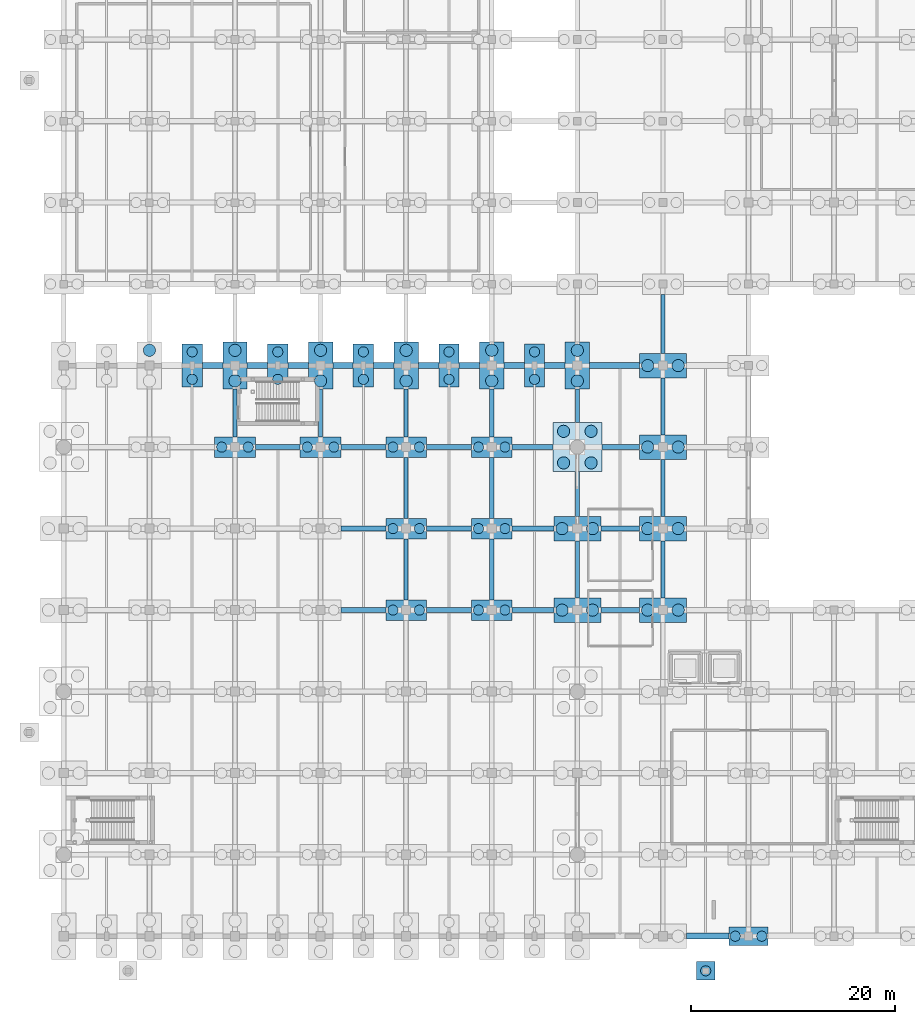
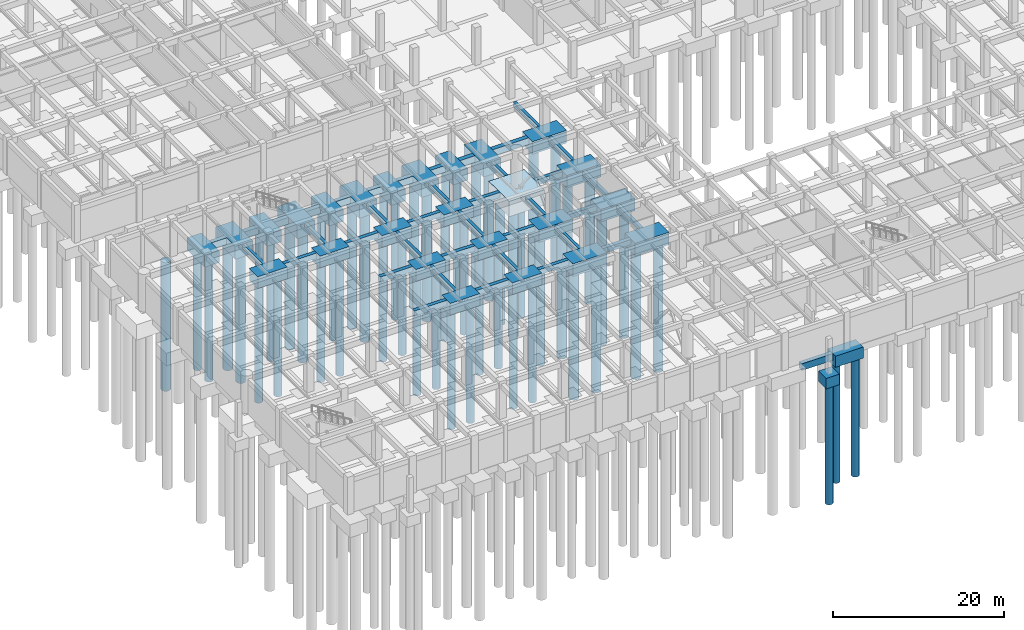
# One storey, part 3 of 56: 66 footings, 56 piles.
"""IFC4 building model written with IfcOpenShell, lengths in metres."""

from ifc_helpers import new_model, si_unit, direction, frame, origin, origin_2d, place, context, subcontext, project, spatial, rectangle, circle, extrude, material, material_profile, profile_set, type_object, element, save


model = new_model("IFC4")

# Units and contexts
model_context = context("Model", 3, precision=1e-05, world=origin(), true_north=direction((0.0, 1.0)))
body_context = subcontext(model_context, "Body", "Model", "MODEL_VIEW")
ifc_project = project(units=[si_unit("LENGTHUNIT", "METRE"), si_unit("AREAUNIT", "SQUARE_METRE"), si_unit("VOLUMEUNIT", "CUBIC_METRE"), si_unit("PLANEANGLEUNIT", "RADIAN"), si_unit("MASSUNIT", "GRAM", prefix="KILO")], contexts=[model_context])

# Site, building, storey
site_placement = place(None, origin())
site = spatial("IfcSite", under=ifc_project, at=site_placement, CompositionType="ELEMENT")
building_placement = place(site_placement, origin())
building = spatial("IfcBuilding", under=site, at=building_placement, Name="Naruveol Harbour Congress Hotel", CompositionType="ELEMENT")
storey_placement = place(building_placement, frame((0.0, 0.0, -5.39990234375)))
storey = spatial("IfcBuildingStorey", under=building, at=storey_placement, Name="B01", CompositionType="ELEMENT", Elevation=-5.39990234375)

# Piles
ifc_material_1 = material(Name="Concrete C40/50", Category="concrete")
ifc_material_profile_1 = material_profile(ifc_material_1, circle(Radius=0.5, at=origin_2d()), Name="BP-1000")
ifc_profile_set_1 = profile_set([ifc_material_profile_1], Name="Concrete C40/50")
pile_type_1 = type_object("IfcPileType", Name="BORED ROCK SOCKETED PILE D1000", PredefinedType="BORED", material=ifc_profile_set_1)
for number, where, z_axis, x_axis, name in (
    (1, (12.60009765625, 54.64990234375, -1.550048828125), (0.0, 0.0, -1.0), (1.0, 0.0, 0.0), "Bored pile BP-1000 #1 under FTG-CAP-0126-0560"),
    (2, (12.60009765625, 57.35009765625, -1.550048828125), (0.0, 0.0, -1.0), (1.0, 0.0, 0.0), "Bored pile BP-1000 #2 under FTG-CAP-0126-0560"),
    (3, (15.5, 48.0, -1.550048828125), (0.0, 0.0, -1.0), (1.0, 0.0, 0.0), "Bored pile BP-1000 #1 under FTG-CAP-0168-0480"),
    (4, (18.10009765625, 48.0, -1.550048828125), (0.0, 0.0, -1.0), (1.0, 0.0, 0.0), "Bored pile BP-1000 #2 under FTG-CAP-0168-0480"),
    (5, (21.0, 54.64990234375, -1.550048828125), (0.0, 0.0, -1.0), (1.0, 0.0, 0.0), "Bored pile BP-1000 #1 under FTG-CAP-0210-0560"),
    (6, (21.0, 57.35009765625, -1.550048828125), (0.0, 0.0, -1.0), (1.0, 0.0, 0.0), "Bored pile BP-1000 #2 under FTG-CAP-0210-0560"),
    (7, (23.89990234375, 48.0, -1.550048828125), (0.0, 0.0, -1.0), (1.0, 0.0, 0.0), "Bored pile BP-1000 #1 under FTG-CAP-0252-0480"),
    (8, (26.5, 48.0, -1.550048828125), (0.0, 0.0, -1.0), (1.0, 0.0, 0.0), "Bored pile BP-1000 #2 under FTG-CAP-0252-0480"),
    (9, (29.39990234375, 54.64990234375, -1.550048828125), (0.0, 0.0, -1.0), (1.0, 0.0, 0.0), "Bored pile BP-1000 #1 under FTG-CAP-0294-0560"),
    (10, (29.39990234375, 57.35009765625, -1.550048828125), (0.0, 0.0, -1.0), (1.0, 0.0, 0.0), "Bored pile BP-1000 #2 under FTG-CAP-0294-0560"),
    (11, (32.300048828125, 32.0, -1.550048828125), (0.0, 0.0, -1.0), (1.0, 0.0, 0.0), "Bored pile BP-1000 #1 under FTG-CAP-0336-0320"),
    (12, (34.89990234375, 32.0, -1.550048828125), (0.0, 0.0, -1.0), (1.0, 0.0, 0.0), "Bored pile BP-1000 #2 under FTG-CAP-0336-0320"),
    (13, (32.300048828125, 40.0, -1.550048828125), (0.0, 0.0, -1.0), (1.0, 0.0, 0.0), "Bored pile BP-1000 #1 under FTG-CAP-0336-0400"),
    (14, (34.89990234375, 40.0, -1.550048828125), (0.0, 0.0, -1.0), (1.0, 0.0, 0.0), "Bored pile BP-1000 #2 under FTG-CAP-0336-0400"),
    (15, (32.300048828125, 48.0, -1.550048828125), (0.0, 0.0, -1.0), (1.0, 0.0, 0.0), "Bored pile BP-1000 #1 under FTG-CAP-0336-0480"),
    (16, (34.89990234375, 48.0, -1.550048828125), (0.0, 0.0, -1.0), (1.0, 0.0, 0.0), "Bored pile BP-1000 #2 under FTG-CAP-0336-0480"),
    (17, (37.800048828125, 54.64990234375, -1.550048828125), (0.0, 0.0, -1.0), (1.0, 0.0, 0.0), "Bored pile BP-1000 #1 under FTG-CAP-0378-0560"),
    (18, (37.800048828125, 57.35009765625, -1.550048828125), (0.0, 0.0, -1.0), (1.0, 0.0, 0.0), "Bored pile BP-1000 #2 under FTG-CAP-0378-0560"),
    (19, (40.699951171875, 32.0, -1.550048828125), (0.0, 0.0, -1.0), (1.0, 0.0, 0.0), "Bored pile BP-1000 #1 under FTG-CAP-0420-0320"),
    (20, (43.300048828125, 32.0, -1.550048828125), (0.0, 0.0, -1.0), (1.0, 0.0, 0.0), "Bored pile BP-1000 #2 under FTG-CAP-0420-0320"),
    (21, (40.699951171875, 40.0, -1.550048828125), (0.0, 0.0, -1.0), (1.0, 0.0, 0.0), "Bored pile BP-1000 #1 under FTG-CAP-0420-0400"),
    (22, (43.300048828125, 40.0, -1.550048828125), (0.0, 0.0, -1.0), (1.0, 0.0, 0.0), "Bored pile BP-1000 #2 under FTG-CAP-0420-0400"),
    (23, (40.699951171875, 48.0, -1.550048828125), (0.0, 0.0, -1.0), (1.0, 0.0, 0.0), "Bored pile BP-1000 #1 under FTG-CAP-0420-0480"),
    (24, (43.300048828125, 48.0, -1.550048828125), (0.0, 0.0, -1.0), (1.0, 0.0, 0.0), "Bored pile BP-1000 #2 under FTG-CAP-0420-0480"),
    (25, (46.199951171875, 54.64990234375, -1.550048828125), (0.0, 0.0, -1.0), (1.0, 0.0, 0.0), "Bored pile BP-1000 #1 under FTG-CAP-0462-0560"),
    (26, (46.199951171875, 57.35009765625, -1.550048828125), (0.0, 0.0, -1.0), (1.0, 0.0, 0.0), "Bored pile BP-1000 #2 under FTG-CAP-0462-0560"),
):
    element("IfcPile", number, at=place(storey_placement, frame(where, z_axis=z_axis, x_axis=x_axis)), inside=storey, type_object=pile_type_1, Name=name, PredefinedType="BORED", context=body_context, shape_type="SweptSolid", body=[
        extrude(circle(Radius=0.5, at=origin_2d()), origin(), (0.0, 0.0, 1.0), 17.050048828125),
    ])
pile_placement = place(storey_placement, frame((63.0, -3.39990234375, -1.35009765625), z_axis=(0.0, 0.0, -1.0), x_axis=(1.0, 0.0, 0.0)))
element("IfcPile", 27, at=pile_placement, inside=storey, type_object=pile_type_1, Name="Bored pile BP-1000 #1 under FTG-CAP-0630--034", PredefinedType="BORED", context=body_context, shape_type="SweptSolid", body=[
    extrude(circle(Radius=0.5, at=origin_2d()), origin(), (0.0, 0.0, 1.0), 17.25),
])
for number, where, z_axis, x_axis, name in (
    (28, (65.89990234375, 0.0, -1.4501953125), (0.0, 0.0, -1.0), (1.0, 0.0, 0.0), "Bored pile BP-1000 #1 under FTG-CAP-0672-0000"),
    (29, (68.5, 0.0, -1.4501953125), (0.0, 0.0, -1.0), (1.0, 0.0, 0.0), "Bored pile BP-1000 #2 under FTG-CAP-0672-0000"),
):
    element("IfcPile", number, at=place(storey_placement, frame(where, z_axis=z_axis, x_axis=x_axis)), inside=storey, type_object=pile_type_1, Name=name, PredefinedType="BORED", context=body_context, shape_type="SweptSolid", body=[
        extrude(circle(Radius=0.5, at=origin_2d()), origin(), (0.0, 0.0, 1.0), 17.14990234375),
    ])
ifc_material_2 = material(Name="Concrete C40/50", Category="concrete")
ifc_material_profile_2 = material_profile(ifc_material_2, circle(Radius=0.60009765625, at=origin_2d()), Name="BP-1200")
ifc_profile_set_2 = profile_set([ifc_material_profile_2], Name="Concrete C40/50")
pile_type_2 = type_object("IfcPileType", Name="BORED ROCK SOCKETED PILE D1200", PredefinedType="BORED", material=ifc_profile_set_2)
for number, where, z_axis, x_axis, name in (
    (30, (8.39990234375, 57.5, -1.7001953125), (0.0, 0.0, -1.0), (1.0, 0.0, 0.0), "Bored pile BP-1200 #2 under FTG-CAP-0084-0560"),
    (31, (16.800048828125, 54.5, -1.7001953125), (0.0, 0.0, -1.0), (1.0, 0.0, 0.0), "Bored pile BP-1200 #1 under FTG-CAP-0168-0560"),
    (32, (16.800048828125, 57.5, -1.7001953125), (0.0, 0.0, -1.0), (1.0, 0.0, 0.0), "Bored pile BP-1200 #2 under FTG-CAP-0168-0560"),
    (33, (25.199951171875, 54.5, -1.7001953125), (0.0, 0.0, -1.0), (1.0, 0.0, 0.0), "Bored pile BP-1200 #1 under FTG-CAP-0252-0560"),
    (34, (25.199951171875, 57.5, -1.7001953125), (0.0, 0.0, -1.0), (1.0, 0.0, 0.0), "Bored pile BP-1200 #2 under FTG-CAP-0252-0560"),
    (35, (33.60009765625, 54.5, -1.7001953125), (0.0, 0.0, -1.0), (1.0, 0.0, 0.0), "Bored pile BP-1200 #1 under FTG-CAP-0336-0560"),
    (36, (33.60009765625, 57.5, -1.7001953125), (0.0, 0.0, -1.0), (1.0, 0.0, 0.0), "Bored pile BP-1200 #2 under FTG-CAP-0336-0560"),
    (37, (42.0, 54.5, -1.7001953125), (0.0, 0.0, -1.0), (1.0, 0.0, 0.0), "Bored pile BP-1200 #1 under FTG-CAP-0420-0560"),
    (38, (42.0, 57.5, -1.7001953125), (0.0, 0.0, -1.0), (1.0, 0.0, 0.0), "Bored pile BP-1200 #2 under FTG-CAP-0420-0560"),
):
    element("IfcPile", number, at=place(storey_placement, frame(where, z_axis=z_axis, x_axis=x_axis)), inside=storey, type_object=pile_type_2, Name=name, PredefinedType="BORED", context=body_context, shape_type="SweptSolid", body=[
        extrude(circle(Radius=0.60009765625, at=origin_2d()), origin(), (0.0, 0.0, 1.0), 18.39990234375),
    ])
for number, where, z_axis, x_axis, name in (
    (39, (48.89990234375, 32.0, -1.650146484375), (0.0, 0.0, -1.0), (1.0, 0.0, 0.0), "Bored pile BP-1200 #1 under FTG-CAP-0504-0320"),
    (40, (51.89990234375, 32.0, -1.650146484375), (0.0, 0.0, -1.0), (1.0, 0.0, 0.0), "Bored pile BP-1200 #2 under FTG-CAP-0504-0320"),
    (41, (48.89990234375, 40.0, -1.650146484375), (0.0, 0.0, -1.0), (1.0, 0.0, 0.0), "Bored pile BP-1200 #1 under FTG-CAP-0504-0400"),
    (42, (51.89990234375, 40.0, -1.650146484375), (0.0, 0.0, -1.0), (1.0, 0.0, 0.0), "Bored pile BP-1200 #2 under FTG-CAP-0504-0400"),
):
    element("IfcPile", number, at=place(storey_placement, frame(where, z_axis=z_axis, x_axis=x_axis)), inside=storey, type_object=pile_type_2, Name=name, PredefinedType="BORED", context=body_context, shape_type="SweptSolid", body=[
        extrude(circle(Radius=0.60009765625, at=origin_2d()), origin(), (0.0, 0.0, 1.0), 18.449951171875),
    ])
for number, where, z_axis, x_axis, name in (
    (43, (49.050048828125, 46.449951171875, -2.050048828125), (0.0, 0.0, -1.0), (1.0, 0.0, 0.0), "Bored pile BP-1200 #1 under FTG-CAP-0504-0480"),
    (44, (51.75, 46.449951171875, -2.050048828125), (0.0, 0.0, -1.0), (1.0, 0.0, 0.0), "Bored pile BP-1200 #2 under FTG-CAP-0504-0480"),
    (45, (49.050048828125, 49.550048828125, -2.050048828125), (0.0, 0.0, -1.0), (1.0, 0.0, 0.0), "Bored pile BP-1200 #3 under FTG-CAP-0504-0480"),
    (46, (51.75, 49.550048828125, -2.050048828125), (0.0, 0.0, -1.0), (1.0, 0.0, 0.0), "Bored pile BP-1200 #4 under FTG-CAP-0504-0480"),
):
    element("IfcPile", number, at=place(storey_placement, frame(where, z_axis=z_axis, x_axis=x_axis)), inside=storey, type_object=pile_type_2, Name=name, PredefinedType="BORED", context=body_context, shape_type="SweptSolid", body=[
        extrude(circle(Radius=0.60009765625, at=origin_2d()), origin(), (0.0, 0.0, 1.0), 18.050048828125),
    ])
for number, where, z_axis, x_axis, name in (
    (47, (50.39990234375, 54.5, -1.7001953125), (0.0, 0.0, -1.0), (1.0, 0.0, 0.0), "Bored pile BP-1200 #1 under FTG-CAP-0504-0560"),
    (48, (50.39990234375, 57.5, -1.7001953125), (0.0, 0.0, -1.0), (1.0, 0.0, 0.0), "Bored pile BP-1200 #2 under FTG-CAP-0504-0560"),
):
    element("IfcPile", number, at=place(storey_placement, frame(where, z_axis=z_axis, x_axis=x_axis)), inside=storey, type_object=pile_type_2, Name=name, PredefinedType="BORED", context=body_context, shape_type="SweptSolid", body=[
        extrude(circle(Radius=0.60009765625, at=origin_2d()), origin(), (0.0, 0.0, 1.0), 18.39990234375),
    ])
for number, where, z_axis, x_axis, name in (
    (49, (57.300048828125, 32.0, -1.650146484375), (0.0, 0.0, -1.0), (1.0, 0.0, 0.0), "Bored pile BP-1200 #1 under FTG-CAP-0588-0320"),
    (50, (60.300048828125, 32.0, -1.650146484375), (0.0, 0.0, -1.0), (1.0, 0.0, 0.0), "Bored pile BP-1200 #2 under FTG-CAP-0588-0320"),
    (51, (57.300048828125, 40.0, -1.650146484375), (0.0, 0.0, -1.0), (1.0, 0.0, 0.0), "Bored pile BP-1200 #1 under FTG-CAP-0588-0400"),
    (52, (60.300048828125, 40.0, -1.650146484375), (0.0, 0.0, -1.0), (1.0, 0.0, 0.0), "Bored pile BP-1200 #2 under FTG-CAP-0588-0400"),
    (53, (57.300048828125, 48.0, -1.650146484375), (0.0, 0.0, -1.0), (1.0, 0.0, 0.0), "Bored pile BP-1200 #1 under FTG-CAP-0588-0480"),
    (54, (60.300048828125, 48.0, -1.650146484375), (0.0, 0.0, -1.0), (1.0, 0.0, 0.0), "Bored pile BP-1200 #2 under FTG-CAP-0588-0480"),
    (55, (57.300048828125, 56.0, -1.650146484375), (0.0, 0.0, -1.0), (1.0, 0.0, 0.0), "Bored pile BP-1200 #1 under FTG-CAP-0588-0560"),
    (56, (60.300048828125, 56.0, -1.650146484375), (0.0, 0.0, -1.0), (1.0, 0.0, 0.0), "Bored pile BP-1200 #2 under FTG-CAP-0588-0560"),
):
    element("IfcPile", number, at=place(storey_placement, frame(where, z_axis=z_axis, x_axis=x_axis)), inside=storey, type_object=pile_type_2, Name=name, PredefinedType="BORED", context=body_context, shape_type="SweptSolid", body=[
        extrude(circle(Radius=0.60009765625, at=origin_2d()), origin(), (0.0, 0.0, 1.0), 18.449951171875),
    ])

# Footings
ifc_material_3 = material(Name="Concrete C40/50", Category="concrete")
footing_type_1 = type_object("IfcFootingType", Name="RC APRON EDGE PILE CAP 1800X1800X1500", PredefinedType="PILE_CAP", material=ifc_material_3)
footing_1_placement = place(storey_placement, frame((63.0, -3.39990234375, -1.5), z_axis=(0.0, 0.0, 1.0), x_axis=(1.0, 0.0, 0.0)))
element("IfcFooting", 57, at=footing_1_placement, inside=storey, type_object=footing_type_1, Name="Pile cap PC9 at (63.0, -3.4)", PredefinedType="PILE_CAP", context=body_context, shape_type="SweptSolid", body=[
    extrude(rectangle(XDim=1.800048828125, YDim=1.800048828125, at=origin_2d()), origin(), (0.0, 0.0, 1.0), 1.5),
])
ifc_material_4 = material(Name="Concrete C40/50", Category="concrete")
footing_type_2 = type_object("IfcFootingType", Name="RC BOUNDARY PILE CAP 2400X4600X1850", PredefinedType="PILE_CAP", material=ifc_material_4)
for number, where, z_axis, x_axis, name in (
    (58, (16.800048828125, 56.0, -1.85009765625), (0.0, 0.0, 1.0), (1.0, 0.0, 0.0), "Pile cap PC12 at (16.8, 56.0)"),
    (59, (25.199951171875, 56.0, -1.85009765625), (0.0, 0.0, 1.0), (1.0, 0.0, 0.0), "Pile cap PC12 at (25.2, 56.0)"),
    (60, (33.60009765625, 56.0, -1.85009765625), (0.0, 0.0, 1.0), (1.0, 0.0, 0.0), "Pile cap PC12 at (33.6, 56.0)"),
    (61, (42.0, 56.0, -1.85009765625), (0.0, 0.0, 1.0), (1.0, 0.0, 0.0), "Pile cap PC12 at (42.0, 56.0)"),
    (62, (50.39990234375, 56.0, -1.85009765625), (0.0, 0.0, 1.0), (1.0, 0.0, 0.0), "Pile cap PC12 at (50.4, 56.0)"),
):
    element("IfcFooting", number, at=place(storey_placement, frame(where, z_axis=z_axis, x_axis=x_axis)), inside=storey, type_object=footing_type_2, Name=name, PredefinedType="PILE_CAP", context=body_context, shape_type="SweptSolid", body=[
        extrude(rectangle(XDim=2.39990234375, YDim=4.60009765625, at=origin_2d()), origin(), (0.0, 0.0, 1.0), 1.85009765625),
    ])
ifc_material_5 = material(Name="Concrete C40/50", Category="concrete")
footing_type_3 = type_object("IfcFootingType", Name="RC COLONNADE PILE CAP 3800X1800X1600", PredefinedType="PILE_CAP", material=ifc_material_5)
footing_2_placement = place(storey_placement, frame((67.199951171875, 0.0, -1.60009765625), z_axis=(0.0, 0.0, 1.0), x_axis=(1.0, 0.0, 0.0)))
element("IfcFooting", 63, at=footing_2_placement, inside=storey, type_object=footing_type_3, Name="Pile cap PC8 at (67.2, 0.0)", PredefinedType="PILE_CAP", context=body_context, shape_type="SweptSolid", body=[
    extrude(rectangle(XDim=3.800048828125, YDim=1.800048828125, at=origin_2d()), origin(), (0.0, 0.0, 1.0), 1.60009765625),
])
ifc_material_6 = material(Name="Concrete C40/50", Category="concrete")
ifc_material_profile_3 = material_profile(ifc_material_6, rectangle(XDim=0.39990234375, YDim=0.64990234375, at=origin_2d()), Name="RCB-400x650")
ifc_profile_set_3 = profile_set([ifc_material_profile_3], Name="Concrete C40/50")
footing_type_4 = type_object("IfcFootingType", Name="RC COLONNADE TIE BEAM 400X650", PredefinedType="FOOTING_BEAM", material=ifc_profile_set_3)
for number, where, z_axis, x_axis, name in (
    (64, (16.800048828125, 49.0, -0.3251953125), (0.0, 1.0, 0.0), (-1.0, 0.0, 0.0), "Foundation tie beam TB4 #260"),
    (65, (25.199951171875, 49.0, -0.3251953125), (0.0, 1.0, 0.0), (-1.0, 0.0, 0.0), "Foundation tie beam TB4 #274"),
):
    element("IfcFooting", number, at=place(storey_placement, frame(where, z_axis=z_axis, x_axis=x_axis)), inside=storey, type_object=footing_type_4, Name=name, PredefinedType="FOOTING_BEAM", context=body_context, shape_type="SweptSolid", body=[
        extrude(rectangle(XDim=0.39990234375, YDim=0.64990234375, at=origin_2d()), origin(), (0.0, 0.0, 1.0), 4.699951171875),
    ])
for number, where, z_axis, x_axis, name in (
    (66, (33.60009765625, 33.0, -0.3251953125), (0.0, 1.0, 0.0), (-1.0, 0.0, 0.0), "Foundation tie beam TB4 #286"),
    (67, (33.60009765625, 41.0, -0.3251953125), (0.0, 1.0, 0.0), (-1.0, 0.0, 0.0), "Foundation tie beam TB4 #287"),
):
    element("IfcFooting", number, at=place(storey_placement, frame(where, z_axis=z_axis, x_axis=x_axis)), inside=storey, type_object=footing_type_4, Name=name, PredefinedType="FOOTING_BEAM", context=body_context, shape_type="SweptSolid", body=[
        extrude(rectangle(XDim=0.39990234375, YDim=0.64990234375, at=origin_2d()), origin(), (0.0, 0.0, 1.0), 6.0),
    ])
footing_3_placement = place(storey_placement, frame((33.60009765625, 49.0, -0.3251953125), z_axis=(0.0, 1.0, 0.0), x_axis=(-1.0, 0.0, 0.0)))
element("IfcFooting", 68, at=footing_3_placement, inside=storey, type_object=footing_type_4, Name="Foundation tie beam TB4 #288", PredefinedType="FOOTING_BEAM", context=body_context, shape_type="SweptSolid", body=[
    extrude(rectangle(XDim=0.39990234375, YDim=0.64990234375, at=origin_2d()), origin(), (0.0, 0.0, 1.0), 4.699951171875),
])
for number, where, z_axis, x_axis, name in (
    (69, (42.0, 33.0, -0.3251953125), (0.0, 1.0, 0.0), (-1.0, 0.0, 0.0), "Foundation tie beam TB4 #300"),
    (70, (42.0, 41.0, -0.3251953125), (0.0, 1.0, 0.0), (-1.0, 0.0, 0.0), "Foundation tie beam TB4 #301"),
):
    element("IfcFooting", number, at=place(storey_placement, frame(where, z_axis=z_axis, x_axis=x_axis)), inside=storey, type_object=footing_type_4, Name=name, PredefinedType="FOOTING_BEAM", context=body_context, shape_type="SweptSolid", body=[
        extrude(rectangle(XDim=0.39990234375, YDim=0.64990234375, at=origin_2d()), origin(), (0.0, 0.0, 1.0), 6.0),
    ])
footing_4_placement = place(storey_placement, frame((42.0, 49.0, -0.3251953125), z_axis=(0.0, 1.0, 0.0), x_axis=(-1.0, 0.0, 0.0)))
element("IfcFooting", 71, at=footing_4_placement, inside=storey, type_object=footing_type_4, Name="Foundation tie beam TB4 #302", PredefinedType="FOOTING_BEAM", context=body_context, shape_type="SweptSolid", body=[
    extrude(rectangle(XDim=0.39990234375, YDim=0.64990234375, at=origin_2d()), origin(), (0.0, 0.0, 1.0), 4.699951171875),
])
footing_5_placement = place(storey_placement, frame((50.39990234375, 33.199951171875, -0.3251953125), z_axis=(0.0, 1.0, 0.0), x_axis=(-1.0, 0.0, 0.0)))
element("IfcFooting", 72, at=footing_5_placement, inside=storey, type_object=footing_type_4, Name="Foundation tie beam TB4 #314", PredefinedType="FOOTING_BEAM", context=body_context, shape_type="SweptSolid", body=[
    extrude(rectangle(XDim=0.39990234375, YDim=0.64990234375, at=origin_2d()), origin(), (0.0, 0.0, 1.0), 5.60009765625),
])
footing_6_placement = place(storey_placement, frame((50.39990234375, 41.199951171875, -0.3251953125), z_axis=(0.0, 1.0, 0.0), x_axis=(-1.0, 0.0, 0.0)))
element("IfcFooting", 73, at=footing_6_placement, inside=storey, type_object=footing_type_4, Name="Foundation tie beam TB4 #315", PredefinedType="FOOTING_BEAM", context=body_context, shape_type="SweptSolid", body=[
    extrude(rectangle(XDim=0.39990234375, YDim=0.64990234375, at=origin_2d()), origin(), (0.0, 0.0, 1.0), 4.400146484375),
])
footing_7_placement = place(storey_placement, frame((50.39990234375, 50.39990234375, -0.3251953125), z_axis=(0.0, 1.0, 0.0), x_axis=(-1.0, 0.0, 0.0)))
element("IfcFooting", 74, at=footing_7_placement, inside=storey, type_object=footing_type_4, Name="Foundation tie beam TB4 #316", PredefinedType="FOOTING_BEAM", context=body_context, shape_type="SweptSolid", body=[
    extrude(rectangle(XDim=0.39990234375, YDim=0.64990234375, at=origin_2d()), origin(), (0.0, 0.0, 1.0), 3.300048828125),
])
for number, where, z_axis, x_axis, name in (
    (75, (58.800048828125, 33.199951171875, -0.3251953125), (0.0, 1.0, 0.0), (-1.0, 0.0, 0.0), "Foundation tie beam TB4 #326"),
    (76, (58.800048828125, 41.199951171875, -0.3251953125), (0.0, 1.0, 0.0), (-1.0, 0.0, 0.0), "Foundation tie beam TB4 #327"),
    (77, (58.800048828125, 49.199951171875, -0.3251953125), (0.0, 1.0, 0.0), (-1.0, 0.0, 0.0), "Foundation tie beam TB4 #328"),
):
    element("IfcFooting", number, at=place(storey_placement, frame(where, z_axis=z_axis, x_axis=x_axis)), inside=storey, type_object=footing_type_4, Name=name, PredefinedType="FOOTING_BEAM", context=body_context, shape_type="SweptSolid", body=[
        extrude(rectangle(XDim=0.39990234375, YDim=0.64990234375, at=origin_2d()), origin(), (0.0, 0.0, 1.0), 5.60009765625),
    ])
footing_8_placement = place(storey_placement, frame((58.800048828125, 57.199951171875, -0.3251953125), z_axis=(0.0, 1.0, 0.0), x_axis=(-1.0, 0.0, 0.0)))
element("IfcFooting", 78, at=footing_8_placement, inside=storey, type_object=footing_type_4, Name="Foundation tie beam TB4 #329", PredefinedType="FOOTING_BEAM", context=body_context, shape_type="SweptSolid", body=[
    extrude(rectangle(XDim=0.39990234375, YDim=0.64990234375, at=origin_2d()), origin(), (0.0, 0.0, 1.0), 5.800048828125),
])
ifc_material_7 = material(Name="Concrete C40/50", Category="concrete")
ifc_material_profile_4 = material_profile(ifc_material_7, rectangle(XDim=0.5, YDim=0.75, at=origin_2d()), Name="RCB-500x750")
ifc_profile_set_4 = profile_set([ifc_material_profile_4], Name="Concrete C40/50")
footing_type_5 = type_object("IfcFootingType", Name="RC FOUNDATION TIE BEAM 500X750", PredefinedType="FOOTING_BEAM", material=ifc_profile_set_4)
footing_9_placement = place(storey_placement, frame((27.199951171875, 32.0, -0.375), z_axis=(1.0, 0.0, 0.0), x_axis=(0.0, 1.0, 0.0)))
element("IfcFooting", 79, at=footing_9_placement, inside=storey, type_object=footing_type_5, Name="Foundation tie beam TB2 #74", PredefinedType="FOOTING_BEAM", context=body_context, shape_type="SweptSolid", body=[
    extrude(rectangle(XDim=0.5, YDim=0.75, at=origin_2d()), origin(), (0.0, 0.0, 1.0), 4.400146484375),
])
footing_10_placement = place(storey_placement, frame((35.60009765625, 32.0, -0.375), z_axis=(1.0, 0.0, 0.0), x_axis=(0.0, 1.0, 0.0)))
element("IfcFooting", 80, at=footing_10_placement, inside=storey, type_object=footing_type_5, Name="Foundation tie beam TB2 #75", PredefinedType="FOOTING_BEAM", context=body_context, shape_type="SweptSolid", body=[
    extrude(rectangle(XDim=0.5, YDim=0.75, at=origin_2d()), origin(), (0.0, 0.0, 1.0), 4.39990234375),
])
footing_11_placement = place(storey_placement, frame((44.0, 32.0, -0.375), z_axis=(1.0, 0.0, 0.0), x_axis=(0.0, 1.0, 0.0)))
element("IfcFooting", 81, at=footing_11_placement, inside=storey, type_object=footing_type_5, Name="Foundation tie beam TB2 #76", PredefinedType="FOOTING_BEAM", context=body_context, shape_type="SweptSolid", body=[
    extrude(rectangle(XDim=0.5, YDim=0.75, at=origin_2d()), origin(), (0.0, 0.0, 1.0), 4.10009765625),
])
footing_12_placement = place(storey_placement, frame((52.699951171875, 32.0, -0.375), z_axis=(1.0, 0.0, 0.0), x_axis=(0.0, 1.0, 0.0)))
element("IfcFooting", 82, at=footing_12_placement, inside=storey, type_object=footing_type_5, Name="Foundation tie beam TB2 #77", PredefinedType="FOOTING_BEAM", context=body_context, shape_type="SweptSolid", body=[
    extrude(rectangle(XDim=0.5, YDim=0.75, at=origin_2d()), origin(), (0.0, 0.0, 1.0), 3.800048828125),
])
footing_13_placement = place(storey_placement, frame((27.199951171875, 40.0, -0.375), z_axis=(1.0, 0.0, 0.0), x_axis=(0.0, 1.0, 0.0)))
element("IfcFooting", 83, at=footing_13_placement, inside=storey, type_object=footing_type_5, Name="Foundation tie beam TB2 #92", PredefinedType="FOOTING_BEAM", context=body_context, shape_type="SweptSolid", body=[
    extrude(rectangle(XDim=0.5, YDim=0.75, at=origin_2d()), origin(), (0.0, 0.0, 1.0), 4.400146484375),
])
footing_14_placement = place(storey_placement, frame((35.60009765625, 40.0, -0.375), z_axis=(1.0, 0.0, 0.0), x_axis=(0.0, 1.0, 0.0)))
element("IfcFooting", 84, at=footing_14_placement, inside=storey, type_object=footing_type_5, Name="Foundation tie beam TB2 #93", PredefinedType="FOOTING_BEAM", context=body_context, shape_type="SweptSolid", body=[
    extrude(rectangle(XDim=0.5, YDim=0.75, at=origin_2d()), origin(), (0.0, 0.0, 1.0), 4.39990234375),
])
footing_15_placement = place(storey_placement, frame((44.0, 40.0, -0.375), z_axis=(1.0, 0.0, 0.0), x_axis=(0.0, 1.0, 0.0)))
element("IfcFooting", 85, at=footing_15_placement, inside=storey, type_object=footing_type_5, Name="Foundation tie beam TB2 #94", PredefinedType="FOOTING_BEAM", context=body_context, shape_type="SweptSolid", body=[
    extrude(rectangle(XDim=0.5, YDim=0.75, at=origin_2d()), origin(), (0.0, 0.0, 1.0), 4.10009765625),
])
footing_16_placement = place(storey_placement, frame((52.699951171875, 40.0, -0.375), z_axis=(1.0, 0.0, 0.0), x_axis=(0.0, 1.0, 0.0)))
element("IfcFooting", 86, at=footing_16_placement, inside=storey, type_object=footing_type_5, Name="Foundation tie beam TB2 #95", PredefinedType="FOOTING_BEAM", context=body_context, shape_type="SweptSolid", body=[
    extrude(rectangle(XDim=0.5, YDim=0.75, at=origin_2d()), origin(), (0.0, 0.0, 1.0), 3.800048828125),
])
footing_17_placement = place(storey_placement, frame((18.800048828125, 48.0, -0.375), z_axis=(1.0, 0.0, 0.0), x_axis=(0.0, 1.0, 0.0)))
element("IfcFooting", 87, at=footing_17_placement, inside=storey, type_object=footing_type_5, Name="Foundation tie beam TB2 #102", PredefinedType="FOOTING_BEAM", context=body_context, shape_type="SweptSolid", body=[
    extrude(rectangle(XDim=0.5, YDim=0.75, at=origin_2d()), origin(), (0.0, 0.0, 1.0), 4.39990234375),
])
footing_18_placement = place(storey_placement, frame((27.199951171875, 48.0, -0.375), z_axis=(1.0, 0.0, 0.0), x_axis=(0.0, 1.0, 0.0)))
element("IfcFooting", 88, at=footing_18_placement, inside=storey, type_object=footing_type_5, Name="Foundation tie beam TB2 #103", PredefinedType="FOOTING_BEAM", context=body_context, shape_type="SweptSolid", body=[
    extrude(rectangle(XDim=0.5, YDim=0.75, at=origin_2d()), origin(), (0.0, 0.0, 1.0), 4.400146484375),
])
footing_19_placement = place(storey_placement, frame((35.60009765625, 48.0, -0.375), z_axis=(1.0, 0.0, 0.0), x_axis=(0.0, 1.0, 0.0)))
element("IfcFooting", 89, at=footing_19_placement, inside=storey, type_object=footing_type_5, Name="Foundation tie beam TB2 #104", PredefinedType="FOOTING_BEAM", context=body_context, shape_type="SweptSolid", body=[
    extrude(rectangle(XDim=0.5, YDim=0.75, at=origin_2d()), origin(), (0.0, 0.0, 1.0), 4.39990234375),
])
footing_20_placement = place(storey_placement, frame((44.0, 48.0, -0.375), z_axis=(1.0, 0.0, 0.0), x_axis=(0.0, 1.0, 0.0)))
element("IfcFooting", 90, at=footing_20_placement, inside=storey, type_object=footing_type_5, Name="Foundation tie beam TB2 #105", PredefinedType="FOOTING_BEAM", context=body_context, shape_type="SweptSolid", body=[
    extrude(rectangle(XDim=0.5, YDim=0.75, at=origin_2d()), origin(), (0.0, 0.0, 1.0), 4.0),
])
footing_21_placement = place(storey_placement, frame((52.800048828125, 48.0, -0.375), z_axis=(1.0, 0.0, 0.0), x_axis=(0.0, 1.0, 0.0)))
element("IfcFooting", 91, at=footing_21_placement, inside=storey, type_object=footing_type_5, Name="Foundation tie beam TB2 #106", PredefinedType="FOOTING_BEAM", context=body_context, shape_type="SweptSolid", body=[
    extrude(rectangle(XDim=0.5, YDim=0.75, at=origin_2d()), origin(), (0.0, 0.0, 1.0), 3.699951171875),
])
ifc_material_8 = material(Name="Concrete C40/50", Category="concrete")
ifc_material_profile_5 = material_profile(ifc_material_8, rectangle(XDim=0.60009765625, YDim=0.949951171875, at=origin_2d()), Name="RCB-600x950")
ifc_profile_set_5 = profile_set([ifc_material_profile_5], Name="Concrete C40/50")
footing_type_6 = type_object("IfcFootingType", Name="RC FOUNDATION TIE BEAM 600X900", PredefinedType="FOOTING_BEAM", material=ifc_profile_set_5)
footing_22_placement = place(storey_placement, frame((61.10009765625, 0.0, -0.47509765625), z_axis=(1.0, 0.0, 0.0), x_axis=(0.0, 1.0, 0.0)))
element("IfcFooting", 92, at=footing_22_placement, inside=storey, type_object=footing_type_6, Name="Foundation tie beam TB1 #14", PredefinedType="FOOTING_BEAM", context=body_context, shape_type="SweptSolid", body=[
    extrude(rectangle(XDim=0.60009765625, YDim=0.949951171875, at=origin_2d()), origin(), (0.0, 0.0, 1.0), 4.199951171875),
])
for number, where, z_axis, x_axis, name in (
    (93, (13.60009765625, 56.0, -0.47509765625), (1.0, 0.0, 0.0), (0.0, 1.0, 0.0), "Foundation tie beam TB1 #114"),
    (94, (18.0, 56.0, -0.47509765625), (1.0, 0.0, 0.0), (0.0, 1.0, 0.0), "Foundation tie beam TB1 #115"),
    (95, (22.0, 56.0, -0.47509765625), (1.0, 0.0, 0.0), (0.0, 1.0, 0.0), "Foundation tie beam TB1 #116"),
    (96, (26.39990234375, 56.0, -0.47509765625), (1.0, 0.0, 0.0), (0.0, 1.0, 0.0), "Foundation tie beam TB1 #117"),
    (97, (30.39990234375, 56.0, -0.47509765625), (1.0, 0.0, 0.0), (0.0, 1.0, 0.0), "Foundation tie beam TB1 #118"),
    (98, (34.800048828125, 56.0, -0.47509765625), (1.0, 0.0, 0.0), (0.0, 1.0, 0.0), "Foundation tie beam TB1 #119"),
    (99, (38.800048828125, 56.0, -0.47509765625), (1.0, 0.0, 0.0), (0.0, 1.0, 0.0), "Foundation tie beam TB1 #120"),
    (100, (43.199951171875, 56.0, -0.47509765625), (1.0, 0.0, 0.0), (0.0, 1.0, 0.0), "Foundation tie beam TB1 #121"),
    (101, (47.199951171875, 56.0, -0.47509765625), (1.0, 0.0, 0.0), (0.0, 1.0, 0.0), "Foundation tie beam TB1 #122"),
):
    element("IfcFooting", number, at=place(storey_placement, frame(where, z_axis=z_axis, x_axis=x_axis)), inside=storey, type_object=footing_type_6, Name=name, PredefinedType="FOOTING_BEAM", context=body_context, shape_type="SweptSolid", body=[
        extrude(rectangle(XDim=0.60009765625, YDim=0.949951171875, at=origin_2d()), origin(), (0.0, 0.0, 1.0), 2.0),
    ])
footing_23_placement = place(storey_placement, frame((51.60009765625, 56.0, -0.47509765625), z_axis=(1.0, 0.0, 0.0), x_axis=(0.0, 1.0, 0.0)))
element("IfcFooting", 102, at=footing_23_placement, inside=storey, type_object=footing_type_6, Name="Foundation tie beam TB1 #123", PredefinedType="FOOTING_BEAM", context=body_context, shape_type="SweptSolid", body=[
    extrude(rectangle(XDim=0.60009765625, YDim=0.949951171875, at=origin_2d()), origin(), (0.0, 0.0, 1.0), 4.89990234375),
])
ifc_material_9 = material(Name="Concrete C40/50", Category="concrete")
footing_type_7 = type_object("IfcFootingType", Name="RC HALL PILE CAP 4600X2400X1800", PredefinedType="PILE_CAP", material=ifc_material_9)
for number, where, z_axis, x_axis, name in (
    (103, (50.39990234375, 32.0, -1.80029296875), (0.0, 0.0, 1.0), (1.0, 0.0, 0.0), "Pile cap PC5 at (50.4, 32.0)"),
    (104, (50.39990234375, 40.0, -1.80029296875), (0.0, 0.0, 1.0), (1.0, 0.0, 0.0), "Pile cap PC5 at (50.4, 40.0)"),
    (105, (58.800048828125, 32.0, -1.80029296875), (0.0, 0.0, 1.0), (1.0, 0.0, 0.0), "Pile cap PC5 at (58.8, 32.0)"),
    (106, (58.800048828125, 40.0, -1.80029296875), (0.0, 0.0, 1.0), (1.0, 0.0, 0.0), "Pile cap PC5 at (58.8, 40.0)"),
    (107, (58.800048828125, 48.0, -1.80029296875), (0.0, 0.0, 1.0), (1.0, 0.0, 0.0), "Pile cap PC5 at (58.8, 48.0)"),
    (108, (58.800048828125, 56.0, -1.80029296875), (0.0, 0.0, 1.0), (1.0, 0.0, 0.0), "Pile cap PC5 at (58.8, 56.0)"),
):
    element("IfcFooting", number, at=place(storey_placement, frame(where, z_axis=z_axis, x_axis=x_axis)), inside=storey, type_object=footing_type_7, Name=name, PredefinedType="PILE_CAP", context=body_context, shape_type="SweptSolid", body=[
        extrude(rectangle(XDim=4.60009765625, YDim=2.39990234375, at=origin_2d()), origin(), (0.0, 0.0, 1.0), 1.800048828125),
    ])
ifc_material_10 = material(Name="Concrete C40/50", Category="concrete")
footing_type_8 = type_object("IfcFootingType", Name="RC MEGA PILE CAP 4800X4800X2200", PredefinedType="PILE_CAP", material=ifc_material_10)
footing_24_placement = place(storey_placement, frame((50.39990234375, 48.0, -2.2001953125), z_axis=(0.0, 0.0, 1.0), x_axis=(1.0, 0.0, 0.0)))
element("IfcFooting", 109, at=footing_24_placement, inside=storey, type_object=footing_type_8, Name="Pile cap PC1 at (50.4, 48.0)", PredefinedType="PILE_CAP", context=body_context, shape_type="SweptSolid", body=[
    extrude(rectangle(XDim=4.800048828125, YDim=4.800048828125, at=origin_2d()), origin(), (0.0, 0.0, 1.0), 2.199951171875),
])
ifc_material_11 = material(Name="Concrete C40/50", Category="concrete")
footing_type_9 = type_object("IfcFootingType", Name="RC PILASTER PILE CAP 2000X4200X1700", PredefinedType="PILE_CAP", material=ifc_material_11)
for number, where, z_axis, x_axis, name in (
    (110, (12.60009765625, 56.0, -1.7001953125), (0.0, 0.0, 1.0), (1.0, 0.0, 0.0), "Pile cap PC11 at (12.6, 56.0)"),
    (111, (21.0, 56.0, -1.7001953125), (0.0, 0.0, 1.0), (1.0, 0.0, 0.0), "Pile cap PC11 at (21.0, 56.0)"),
    (112, (29.39990234375, 56.0, -1.7001953125), (0.0, 0.0, 1.0), (1.0, 0.0, 0.0), "Pile cap PC11 at (29.4, 56.0)"),
    (113, (37.800048828125, 56.0, -1.7001953125), (0.0, 0.0, 1.0), (1.0, 0.0, 0.0), "Pile cap PC11 at (37.8, 56.0)"),
    (114, (46.199951171875, 56.0, -1.7001953125), (0.0, 0.0, 1.0), (1.0, 0.0, 0.0), "Pile cap PC11 at (46.2, 56.0)"),
):
    element("IfcFooting", number, at=place(storey_placement, frame(where, z_axis=z_axis, x_axis=x_axis)), inside=storey, type_object=footing_type_9, Name=name, PredefinedType="PILE_CAP", context=body_context, shape_type="SweptSolid", body=[
        extrude(rectangle(XDim=2.0, YDim=4.199951171875, at=origin_2d()), origin(), (0.0, 0.0, 1.0), 1.699951171875),
    ])
ifc_material_12 = material(Name="Concrete C40/50", Category="concrete")
footing_type_10 = type_object("IfcFootingType", Name="RC PODIUM PILE CAP 4000X2000X1700", PredefinedType="PILE_CAP", material=ifc_material_12)
for number, where, z_axis, x_axis, name in (
    (115, (16.800048828125, 48.0, -1.7001953125), (0.0, 0.0, 1.0), (1.0, 0.0, 0.0), "Pile cap PC6 at (16.8, 48.0)"),
    (116, (25.199951171875, 48.0, -1.7001953125), (0.0, 0.0, 1.0), (1.0, 0.0, 0.0), "Pile cap PC6 at (25.2, 48.0)"),
    (117, (33.60009765625, 32.0, -1.7001953125), (0.0, 0.0, 1.0), (1.0, 0.0, 0.0), "Pile cap PC6 at (33.6, 32.0)"),
    (118, (33.60009765625, 40.0, -1.7001953125), (0.0, 0.0, 1.0), (1.0, 0.0, 0.0), "Pile cap PC6 at (33.6, 40.0)"),
    (119, (33.60009765625, 48.0, -1.7001953125), (0.0, 0.0, 1.0), (1.0, 0.0, 0.0), "Pile cap PC6 at (33.6, 48.0)"),
    (120, (42.0, 32.0, -1.7001953125), (0.0, 0.0, 1.0), (1.0, 0.0, 0.0), "Pile cap PC6 at (42.0, 32.0)"),
    (121, (42.0, 40.0, -1.7001953125), (0.0, 0.0, 1.0), (1.0, 0.0, 0.0), "Pile cap PC6 at (42.0, 40.0)"),
    (122, (42.0, 48.0, -1.7001953125), (0.0, 0.0, 1.0), (1.0, 0.0, 0.0), "Pile cap PC6 at (42.0, 48.0)"),
):
    element("IfcFooting", number, at=place(storey_placement, frame(where, z_axis=z_axis, x_axis=x_axis)), inside=storey, type_object=footing_type_10, Name=name, PredefinedType="PILE_CAP", context=body_context, shape_type="SweptSolid", body=[
        extrude(rectangle(XDim=4.0, YDim=2.0, at=origin_2d()), origin(), (0.0, 0.0, 1.0), 1.699951171875),
    ])

save(model, "model.ifc")
